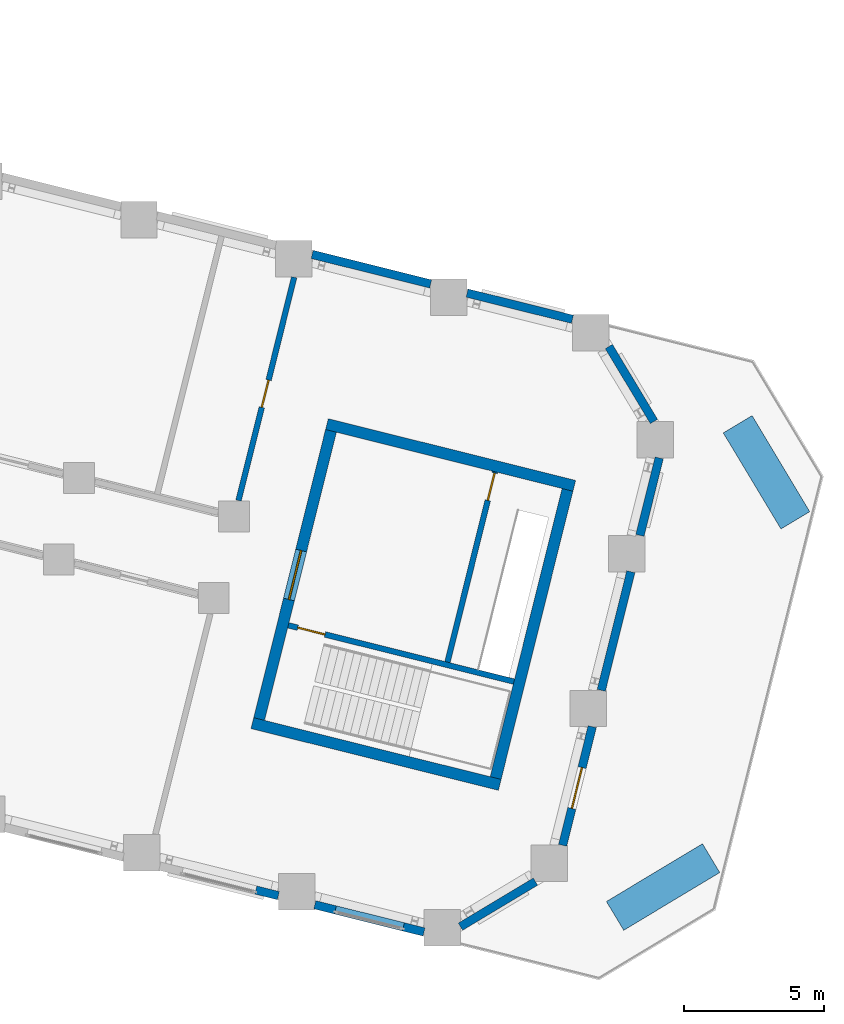
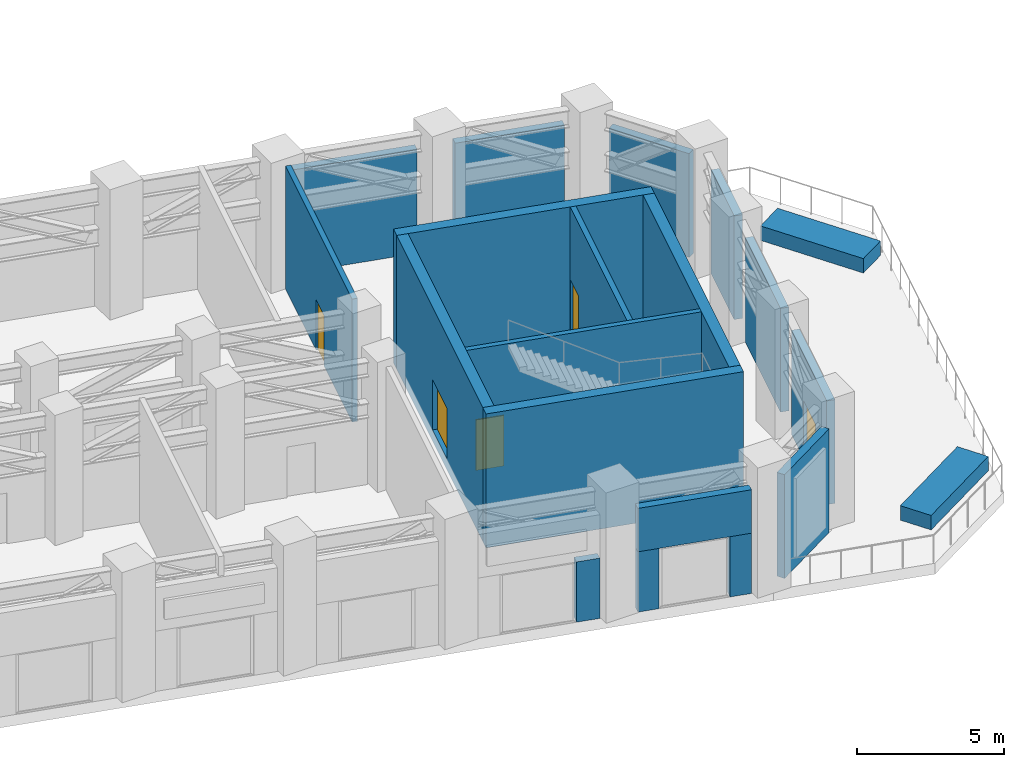
# One storey, part 16 of 21: 20 walls, 5 doors, 5 openings.
"""IFC4 building model written with IfcOpenShell, lengths in metres."""

from ifc_helpers import new_model, si_unit, direction, frame, frame_2d, origin, place, context, subcontext, project, spatial, rectangle, extrude, material, layer, layer_set, type_object, element, fill, save


model = new_model("IFC4")

# Units and contexts
model_context = context("Model", 3, precision=1e-05, world=origin(), true_north=direction((0.0, 1.0)))
body_context = subcontext(model_context, "Body", "Model", "MODEL_VIEW")
ifc_project = project(units=[si_unit("LENGTHUNIT", "METRE"), si_unit("AREAUNIT", "SQUARE_METRE"), si_unit("VOLUMEUNIT", "CUBIC_METRE"), si_unit("PLANEANGLEUNIT", "RADIAN"), si_unit("MASSUNIT", "GRAM", prefix="KILO")], contexts=[model_context])

# Site, building, storey
site_placement = place(None, origin())
site = spatial("IfcSite", under=ifc_project, at=site_placement, CompositionType="ELEMENT")
building_placement = place(site_placement, origin())
building = spatial("IfcBuilding", under=site, at=building_placement, Name="Meshkara Civic Tower", CompositionType="ELEMENT")
storey_placement = place(building_placement, frame((0.0, 0.0, 156.0)))
storey = spatial("IfcBuildingStorey", under=building, at=storey_placement, Name="L35", CompositionType="ELEMENT", Elevation=156.0)

# Walls
ifc_material_1 = material(Name="Insulated infill panel with bronze anodised aluminium cladding", Category="aluminium")
ifc_layer_1 = layer(ifc_material_1, 0.300048828125)
ifc_layer_set_1 = layer_set([ifc_layer_1], Name="EXTERNAL INFILL WALL 300")
wall_type_1 = type_object("IfcWallType", Name="EXTERNAL INFILL WALL 300", PredefinedType="SOLIDWALL", material=ifc_layer_set_1)
wall_1_placement = place(storey_placement, frame((76.47509765625, 4.27587890625, 0.0), z_axis=(0.0, 0.0, 1.0), x_axis=(-0.970323827818, 0.241809158572, 0.0)))
element("IfcWall", 1, at=wall_1_placement, inside=storey, type_object=wall_type_1, Name="External wall", PredefinedType="SOLIDWALL", context=body_context, shape_type="SweptSolid", body=[
    extrude(rectangle(XDim=3.875, YDim=0.300048828125, at=frame_2d((1.9375, 0.0))), origin(), (0.0, 0.0, 1.0), 4.300048828125),
])
wall_2_placement = place(storey_placement, frame((71.4150390625, 5.5380859375, 0.0), z_axis=(0.0, 0.0, 1.0), x_axis=(-0.970346363444, 0.241718710386, 0.0)))
element("IfcWall", 2, at=wall_2_placement, inside=storey, type_object=wall_type_1, Name="External wall", PredefinedType="SOLIDWALL", context=body_context, shape_type="SweptSolid", body=[
    extrude(rectangle(XDim=4.3603515625, YDim=0.300048828125, at=frame_2d((2.18017578125, 0.0))), origin(), (0.0, 0.0, 1.0), 4.300048828125),
])
wall_3_placement = place(storey_placement, frame((67.277099609375, -16.618896484375, 2.5), z_axis=(0.0, 0.0, 1.0), x_axis=(0.970306640438, -0.241878117079, 0.0)))
element("IfcWall", 3, at=wall_3_placement, inside=storey, type_object=wall_type_1, Name="External wall", PredefinedType="SOLIDWALL", context=body_context, shape_type="SweptSolid", body=[
    extrude(rectangle(XDim=4.019287109375, YDim=0.300048828125, at=frame_2d((2.009765625, 0.0))), origin(), (0.0, 0.0, 1.0), 1.800048828125),
])
wall_4_placement = place(storey_placement, frame((72.47705078125, -17.403076171875, 0.0), z_axis=(0.0, 0.0, 1.0), x_axis=(0.857216881621, 0.514955549406, 0.0)))
element("IfcWall", 4, at=wall_4_placement, inside=storey, type_object=wall_type_1, Name="External wall", PredefinedType="SOLIDWALL", context=body_context, shape_type="SweptSolid", body=[
    extrude(rectangle(XDim=3.122802734375, YDim=0.300048828125, at=frame_2d((1.5615234375, 0.0))), origin(), (0.0, 0.0, 1.0), 4.300048828125),
])

# Wall, opening, door
wall_5_placement = place(storey_placement, frame((76.125, -14.4951171875, 0.0), z_axis=(0.0, 0.0, 1.0), x_axis=(0.241916433975, 0.970297087996, 0.0)))
wall_5 = element("IfcWall", 5, at=wall_5_placement, inside=storey, type_object=wall_type_1, Name="External wall", PredefinedType="SOLIDWALL", context=body_context, shape_type="SweptSolid", body=[
    extrude(rectangle(XDim=4.36083984375, YDim=0.300048828125, at=frame_2d((2.180419921875, 0.0))), origin(), (0.0, 0.0, 1.0), 4.300048828125),
])
opening_1_placement = place(wall_5_placement, frame((1.35498046875, 0.0, 0.0)))
opening_1 = element("IfcOpeningElement", 6, at=opening_1_placement, cuts=wall_5, Name="Opening L35-L002", PredefinedType="OPENING", context=body_context, shape_type="SweptSolid", body=[
    extrude(rectangle(XDim=1.5, YDim=2.39990234375, at=frame_2d((0.75, 1.199951171875))), frame((0.0, 0.159912109375, 0.0), z_axis=(0.0, -1.0, 0.0), x_axis=(1.0, 0.0, 0.0)), (0.0, 0.0, 1.0), 0.320068359375),
])
ifc_material_2 = material(Name="Bronze anodised aluminium", Category="aluminium")
door_type_1 = type_object("IfcDoorType", Name="TERRACE DOOR 1500x2400", OperationType="DOUBLE_DOOR_SINGLE_SWING", PredefinedType="DOOR", material=ifc_material_2)
door_1_placement = place(opening_1_placement, origin())
door_1 = element("IfcDoor", 7, at=door_1_placement, inside=storey, type_object=door_type_1, Name="L35-L002", OperationType="DOUBLE_DOOR_SINGLE_SWING", OverallHeight=2.39990234375, OverallWidth=1.5, PredefinedType="DOOR", context=body_context, shape_type="SweptSolid", body=[
    extrude(rectangle(XDim=1.5, YDim=2.39990234375, at=frame_2d((0.75, 1.199951171875))), frame((0.0, 0.02490234375, 0.0), z_axis=(0.0, -1.0, 0.0), x_axis=(1.0, 0.0, 0.0)), (0.0, 0.0, 1.0), 0.050048828125),
])
fill(opening_1, door_1)

# Walls
wall_6_placement = place(storey_placement, frame((77.50390625, -8.964111328125, 0.0), z_axis=(0.0, 0.0, 1.0), x_axis=(0.241810842962, 0.970323408058, 0.0)))
element("IfcWall", 8, at=wall_6_placement, inside=storey, type_object=wall_type_1, Name="External wall", PredefinedType="SOLIDWALL", context=body_context, shape_type="SweptSolid", body=[
    extrude(rectangle(XDim=4.359619140625, YDim=0.300048828125, at=frame_2d((2.1796875, 0.0))), origin(), (0.0, 0.0, 1.0), 4.300048828125),
])
wall_7_placement = place(storey_placement, frame((78.883056640625, -3.43408203125, 0.0), z_axis=(0.0, 0.0, 1.0), x_axis=(0.241607534571, 0.970374051198, 0.0)))
element("IfcWall", 9, at=wall_7_placement, inside=storey, type_object=wall_type_1, Name="External wall", PredefinedType="SOLIDWALL", context=body_context, shape_type="SweptSolid", body=[
    extrude(rectangle(XDim=2.84765625, YDim=0.300048828125, at=frame_2d((1.423828125, 0.0))), origin(), (0.0, 0.0, 1.0), 4.300048828125),
])
wall_8_placement = place(storey_placement, frame((79.383056640625, 0.62890625, 0.0), z_axis=(0.0, 0.0, 1.0), x_axis=(-0.515093618967, 0.857133924016, 0.0)))
element("IfcWall", 10, at=wall_8_placement, inside=storey, type_object=wall_type_1, Name="External wall", PredefinedType="SOLIDWALL", context=body_context, shape_type="SweptSolid", body=[
    extrude(rectangle(XDim=3.1220703125, YDim=0.300048828125, at=frame_2d((1.56103515625, 0.0))), origin(), (0.0, 0.0, 1.0), 4.300048828125),
])
ifc_material_3 = material(Name="Concrete C70", Category="concrete")
ifc_layer_2 = layer(ifc_material_3, 0.39990234375)
ifc_layer_set_2 = layer_set([ifc_layer_2], Name="End core ring wall 400 C70")
wall_type_2 = type_object("IfcWallType", Name="End core ring wall 400 C70", PredefinedType="SHEAR", material=ifc_layer_set_2)
for number, where, z_axis, x_axis, name in (
    (11, (65.050048828125, -10.137939453125, -0.449951171875), (0.0, 0.0, 1.0), (0.970273354879, -0.242011604707, 0.0), "L35-C031"),
    (12, (67.7109375, 0.534912109375, -0.449951171875), (0.0, 0.0, 1.0), (0.970306418893, -0.241879005816, 0.0), "L35-C032"),
):
    element("IfcWall", number, at=place(storey_placement, frame(where, z_axis=z_axis, x_axis=x_axis)), inside=storey, type_object=wall_type_2, Name=name, PredefinedType="SHEAR", context=body_context, shape_type="SweptSolid", body=[
        extrude(rectangle(XDim=9.099365234375, YDim=0.39990234375, at=frame_2d((4.5498046875, 0.0))), origin(), (0.0, 0.0, 1.0), 5.550048828125),
    ])

# Wall, opening, door
wall_9_placement = place(storey_placement, frame((65.2919921875, -9.991943359375, -0.449951171875), z_axis=(0.0, 0.0, 1.0), x_axis=(0.241890652548, 0.970303515509, 0.0)))
wall_9 = element("IfcWall", 13, at=wall_9_placement, inside=storey, type_object=wall_type_2, Name="L35-C033", PredefinedType="SHEAR", context=body_context, shape_type="SweptSolid", body=[
    extrude(rectangle(XDim=10.599609375, YDim=0.39990234375, at=frame_2d((5.2998046875, 0.0))), origin(), (0.0, 0.0, 1.0), 5.550048828125),
])
opening_2_placement = place(wall_9_placement, frame((4.39990234375, 0.0, 0.449951171875)))
opening_2 = element("IfcOpeningElement", 14, at=opening_2_placement, cuts=wall_9, Name="Opening L35-K202", PredefinedType="OPENING", context=body_context, shape_type="SweptSolid", body=[
    extrude(rectangle(XDim=1.800048828125, YDim=2.10009765625, at=frame_2d((0.89990234375, 1.050048828125))), frame((0.0, 0.2099609375, 0.0), z_axis=(0.0, -1.0, 0.0), x_axis=(1.0, 0.0, 0.0)), (0.0, 0.0, 1.0), 0.419921875),
])
ifc_material_4 = material(Name="Fire-rated door leaf in steel frame", Category="steel")
door_type_2 = type_object("IfcDoorType", Name="Core double door 1800 EI 60", OperationType="DOUBLE_DOOR_SINGLE_SWING", PredefinedType="DOOR", material=ifc_material_4)
door_2_placement = place(opening_2_placement, origin())
door_2 = element("IfcDoor", 15, at=door_2_placement, inside=storey, type_object=door_type_2, Name="L35-K202", OperationType="DOUBLE_DOOR_SINGLE_SWING", OverallHeight=2.10009765625, OverallWidth=1.800048828125, PredefinedType="DOOR", context=body_context, shape_type="SweptSolid", body=[
    extrude(rectangle(XDim=1.800048828125, YDim=2.10009765625, at=frame_2d((0.89990234375, 1.050048828125))), frame((0.0, 0.02490234375, 0.0), z_axis=(0.0, -1.0, 0.0), x_axis=(1.0, 0.0, 0.0)), (0.0, 0.0, 1.0), 0.050048828125),
])
fill(opening_2, door_2)

# Wall
wall_10_placement = place(storey_placement, frame((73.73388671875, -12.096923828125, -0.449951171875), z_axis=(0.0, 0.0, 1.0), x_axis=(0.241912337509, 0.970298109326, 0.0)))
element("IfcWall", 16, at=wall_10_placement, inside=storey, type_object=wall_type_2, Name="L35-C034", PredefinedType="SHEAR", context=body_context, shape_type="SweptSolid", body=[
    extrude(rectangle(XDim=10.599853515625, YDim=0.39990234375, at=frame_2d((5.2998046875, 0.0))), origin(), (0.0, 0.0, 1.0), 5.550048828125),
])

# Wall, opening, door
ifc_material_5 = material(Name="Fire-rated wall 200")
ifc_layer_3 = layer(ifc_material_5, 0.199951171875)
ifc_layer_set_3 = layer_set([ifc_layer_3], Name="Fire-rated wall 200")
wall_type_3 = type_object("IfcWallType", Name="Fire-rated wall 200", PredefinedType="PARTITIONING", material=ifc_layer_set_3)
wall_11_placement = place(storey_placement, frame((66.54296875, 5.77490234375, 0.0), z_axis=(0.0, 0.0, 1.0), x_axis=(-0.241919821621, -0.970296243375, 0.0)))
wall_11 = element("IfcWall", 17, at=wall_11_placement, inside=storey, type_object=wall_type_3, Name="L35-R031", PredefinedType="PARTITIONING", context=body_context, shape_type="SweptSolid", body=[
    extrude(rectangle(XDim=8.209716796875, YDim=0.199951171875, at=frame_2d((4.10498046875, 0.0))), origin(), (0.0, 0.0, 1.0), 5.10009765625),
])
opening_3_placement = place(wall_11_placement, frame((3.780029296875, 0.0, 0.0)))
opening_3 = element("IfcOpeningElement", 18, at=opening_3_placement, cuts=wall_11, Name="Opening L35-P008", PredefinedType="OPENING", context=body_context, shape_type="SweptSolid", body=[
    extrude(rectangle(XDim=1.0, YDim=2.10009765625, at=frame_2d((0.5, 1.050048828125))), frame((0.0, 0.10986328125, 0.0), z_axis=(0.0, -1.0, 0.0), x_axis=(1.0, 0.0, 0.0)), (0.0, 0.0, 1.0), 0.219970703125),
])
ifc_material_6 = material(Name="Door 1000 x 2100")
door_type_3 = type_object("IfcDoorType", Name="Door 1000 x 2100", OperationType="SINGLE_SWING_LEFT", PredefinedType="DOOR", material=ifc_material_6)
door_3_placement = place(opening_3_placement, origin())
door_3 = element("IfcDoor", 19, at=door_3_placement, inside=storey, type_object=door_type_3, Name="L35-P008", OperationType="SINGLE_SWING_RIGHT", OverallHeight=2.10009765625, OverallWidth=1.0, PredefinedType="DOOR", context=body_context, shape_type="SweptSolid", body=[
    extrude(rectangle(XDim=1.0, YDim=2.10009765625, at=frame_2d((0.5, 1.050048828125))), frame((0.0, 0.02490234375, 0.0), z_axis=(0.0, -1.0, 0.0), x_axis=(1.0, 0.0, 0.0)), (0.0, 0.0, 1.0), 0.050048828125),
])
fill(opening_3, door_3)

# Walls
ifc_material_7 = material(Name="Concrete C40", Category="concrete")
ifc_layer_4 = layer(ifc_material_7, 1.199951171875)
ifc_layer_set_4 = layer_set([ifc_layer_4], Name="PLANTING BED")
wall_type_4 = type_object("IfcWallType", Name="PLANTING BED", PredefinedType="SOLIDWALL", material=ifc_layer_set_4)
wall_12_placement = place(storey_placement, frame((82.37109375, 0.530029296875, 0.0), z_axis=(0.0, 0.0, 1.0), x_axis=(0.515052250647, -0.857158782901, 0.0)))
element("IfcWall", 20, at=wall_12_placement, inside=storey, type_object=wall_type_4, Name="Planting bed", PredefinedType="SOLIDWALL", context=body_context, shape_type="SweptSolid", body=[
    extrude(rectangle(XDim=3.999267578125, YDim=1.199951171875, at=frame_2d((1.99951171875, 0.0))), origin(), (0.0, 0.0, 1.0), 0.60009765625),
])
wall_13_placement = place(storey_placement, frame((81.424072265625, -14.9560546875, 0.0), z_axis=(0.0, 0.0, 1.0), x_axis=(-0.85708882309, -0.515168661056, 0.0)))
element("IfcWall", 21, at=wall_13_placement, inside=storey, type_object=wall_type_4, Name="Planting bed", PredefinedType="SOLIDWALL", context=body_context, shape_type="SweptSolid", body=[
    extrude(rectangle(XDim=4.000732421875, YDim=1.199951171875, at=frame_2d((2.00048828125, 0.0))), origin(), (0.0, 0.0, 1.0), 0.60009765625),
])
ifc_material_8 = material(Name="Concrete C50", Category="concrete")
ifc_layer_5 = layer(ifc_material_8, 0.300048828125)
ifc_layer_set_5 = layer_set([ifc_layer_5], Name="SKY LOBBY PIER 300")
wall_type_5 = type_object("IfcWallType", Name="SKY LOBBY PIER 300", PredefinedType="SOLIDWALL", material=ifc_layer_set_5)
wall_14_placement = place(storey_placement, frame((65.176025390625, -16.094970703125, 0.0), z_axis=(0.0, 0.0, 1.0), x_axis=(0.970229411736, -0.242187713567, 0.0)))
element("IfcWall", 22, at=wall_14_placement, inside=storey, type_object=wall_type_5, Name="Sky lobby pier", PredefinedType="SOLIDWALL", context=body_context, shape_type="SweptSolid", body=[
    extrude(rectangle(XDim=0.82568359375, YDim=0.300048828125, at=frame_2d((0.412841796875, 0.0))), origin(), (0.0, 0.0, 1.0), 2.5),
])
wall_15_placement = place(storey_placement, frame((67.277099609375, -16.618896484375, 0.0), z_axis=(0.0, 0.0, 1.0), x_axis=(0.970331832665, -0.241777034717, 0.0)))
element("IfcWall", 23, at=wall_15_placement, inside=storey, type_object=wall_type_5, Name="Sky lobby pier", PredefinedType="SOLIDWALL", context=body_context, shape_type="SweptSolid", body=[
    extrude(rectangle(XDim=0.75732421875, YDim=0.300048828125, at=frame_2d((0.378662109375, 0.0))), origin(), (0.0, 0.0, 1.0), 2.5),
])
wall_16_placement = place(storey_placement, frame((70.44189453125, -17.407958984375, 0.0), z_axis=(0.0, 0.0, 1.0), x_axis=(0.970350668295, -0.241701428502, 0.0)))
element("IfcWall", 24, at=wall_16_placement, inside=storey, type_object=wall_type_5, Name="Sky lobby pier", PredefinedType="SOLIDWALL", context=body_context, shape_type="SweptSolid", body=[
    extrude(rectangle(XDim=0.757568359375, YDim=0.300048828125, at=frame_2d((0.37890625, 0.0))), origin(), (0.0, 0.0, 1.0), 2.5),
])

# Wall, opening, door
ifc_material_9 = material(Name="Concrete C40/50", Category="concrete")
ifc_layer_6 = layer(ifc_material_9, 0.199951171875)
ifc_layer_set_6 = layer_set([ifc_layer_6], Name="Stair enclosure wall 200 C40/50")
wall_type_6 = type_object("IfcWallType", Name="Stair enclosure wall 200 C40/50", PredefinedType="SOLIDWALL", material=ifc_layer_set_6)
wall_17_placement = place(storey_placement, frame((66.3330078125, -6.64501953125, 0.0), z_axis=(0.0, 0.0, 1.0), x_axis=(0.970289402158, -0.241947258837, 0.0)))
wall_17 = element("IfcWall", 25, at=wall_17_placement, inside=storey, type_object=wall_type_6, Name="L35-C035", PredefinedType="SOLIDWALL", context=body_context, shape_type="SweptSolid", body=[
    extrude(rectangle(XDim=8.299560546875, YDim=0.199951171875, at=frame_2d((4.14990234375, 0.0))), origin(), (0.0, 0.0, 1.0), 5.10009765625),
])
opening_4_placement = place(wall_17_placement, frame((0.35009765625, 0.0, 0.0)))
opening_4 = element("IfcOpeningElement", 26, at=opening_4_placement, cuts=wall_17, Name="Opening L35-K201", PredefinedType="OPENING", context=body_context, shape_type="SweptSolid", body=[
    extrude(rectangle(XDim=1.0, YDim=2.10009765625, at=frame_2d((0.5, 1.050048828125))), frame((0.0, 0.10986328125, 0.0), z_axis=(0.0, -1.0, 0.0), x_axis=(1.0, 0.0, 0.0)), (0.0, 0.0, 1.0), 0.219970703125),
])
ifc_material_10 = material(Name="Fire-rated door leaf in steel frame", Category="steel")
door_type_4 = type_object("IfcDoorType", Name="Stair door 1000 EI 120", OperationType="SINGLE_SWING_LEFT", PredefinedType="DOOR", material=ifc_material_10)
door_4_placement = place(opening_4_placement, origin())
door_4 = element("IfcDoor", 27, at=door_4_placement, inside=storey, type_object=door_type_4, Name="L35-K201", OperationType="SINGLE_SWING_LEFT", OverallHeight=2.10009765625, OverallWidth=1.0, PredefinedType="DOOR", context=body_context, shape_type="SweptSolid", body=[
    extrude(rectangle(XDim=1.0, YDim=2.10009765625, at=frame_2d((0.5, 1.050048828125))), frame((0.0, 0.02490234375, 0.0), z_axis=(0.0, -1.0, 0.0), x_axis=(1.0, 0.0, 0.0)), (0.0, 0.0, 1.0), 0.050048828125),
])
fill(opening_4, door_4)

wall_18_placement = place(storey_placement, frame((72.013916015625, -7.9580078125, 0.0), z_axis=(0.0, 0.0, 1.0), x_axis=(0.241879042136, 0.970306409839, 0.0)))
wall_18 = element("IfcWall", 28, at=wall_18_placement, inside=storey, type_object=wall_type_6, Name="L35-C036", PredefinedType="SOLIDWALL", context=body_context, shape_type="SweptSolid", body=[
    extrude(rectangle(XDim=6.999755859375, YDim=0.199951171875, at=frame_2d((3.5, 0.0))), origin(), (0.0, 0.0, 1.0), 5.10009765625),
])
opening_5_placement = place(wall_18_placement, frame((5.949951171875, 0.0, 0.0)))
opening_5 = element("IfcOpeningElement", 29, at=opening_5_placement, cuts=wall_18, Name="Opening L35-K290", PredefinedType="OPENING", context=body_context, shape_type="SweptSolid", body=[
    extrude(rectangle(XDim=1.0, YDim=2.10009765625, at=frame_2d((0.5, 1.050048828125))), frame((0.0, 0.10986328125, 0.0), z_axis=(0.0, -1.0, 0.0), x_axis=(1.0, 0.0, 0.0)), (0.0, 0.0, 1.0), 0.219970703125),
])
door_5_placement = place(opening_5_placement, origin())
door_5 = element("IfcDoor", 30, at=door_5_placement, inside=storey, type_object=door_type_4, Name="L35-K290", OperationType="SINGLE_SWING_LEFT", OverallHeight=2.10009765625, OverallWidth=1.0, PredefinedType="DOOR", context=body_context, shape_type="SweptSolid", body=[
    extrude(rectangle(XDim=1.0, YDim=2.10009765625, at=frame_2d((0.5, 1.050048828125))), frame((0.0, 0.02490234375, 0.0), z_axis=(0.0, -1.0, 0.0), x_axis=(1.0, 0.0, 0.0)), (0.0, 0.0, 1.0), 0.050048828125),
])
fill(opening_5, door_5)

save(model, "model.ifc")
